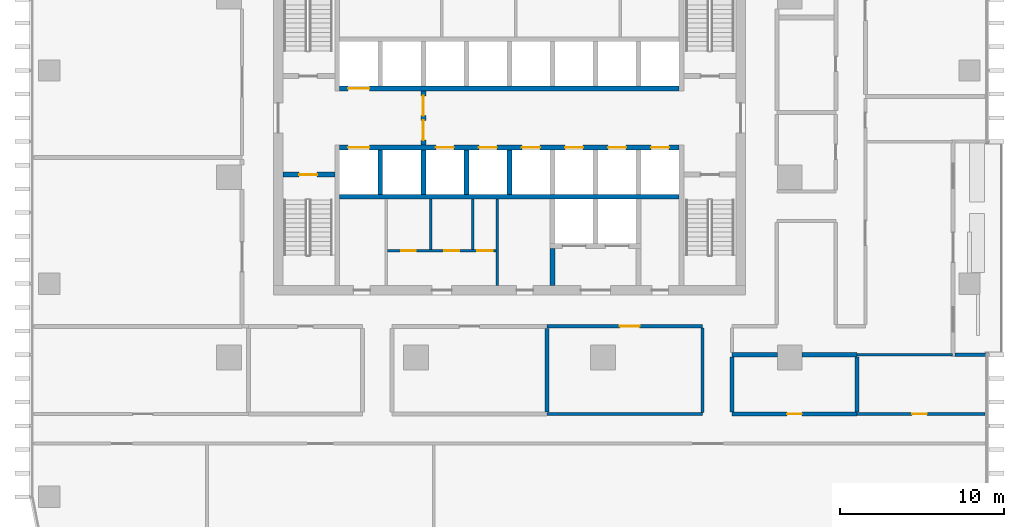
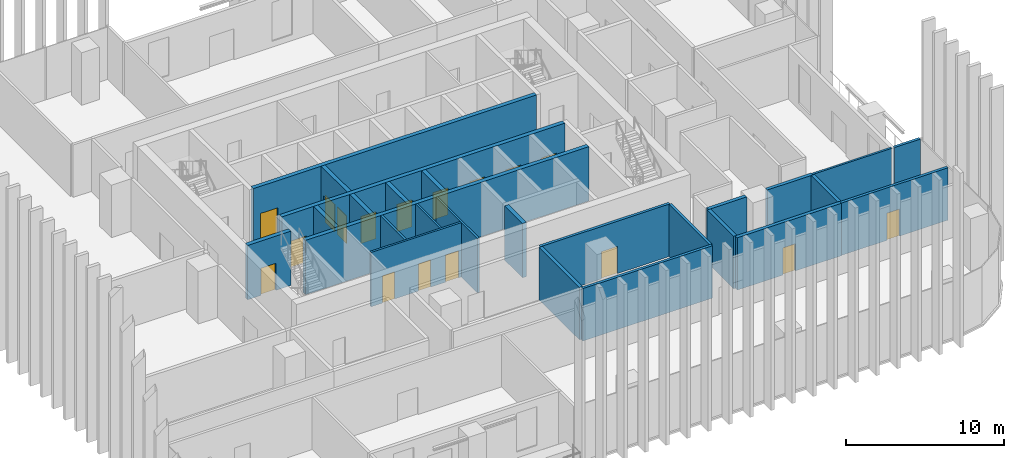
# One storey, part 8 of 17: 26 walls, 17 doors, 17 openings.
"""IFC4 building model written with IfcOpenShell, lengths in metres."""

from ifc_helpers import new_model, si_unit, direction, frame, frame_2d, origin, place, context, subcontext, project, spatial, rectangle, extrude, material, layer, layer_set, type_object, element, fill, save


model = new_model("IFC4")

# Units and contexts
model_context = context("Model", 3, precision=1e-05, world=origin(), true_north=direction((0.0, 1.0)))
body_context = subcontext(model_context, "Body", "Model", "MODEL_VIEW")
ifc_project = project(units=[si_unit("LENGTHUNIT", "METRE"), si_unit("AREAUNIT", "SQUARE_METRE"), si_unit("VOLUMEUNIT", "CUBIC_METRE"), si_unit("PLANEANGLEUNIT", "RADIAN"), si_unit("MASSUNIT", "GRAM", prefix="KILO")], contexts=[model_context])

# Site, building, storey
site_placement = place(None, origin())
site = spatial("IfcSite", under=ifc_project, at=site_placement, CompositionType="ELEMENT")
building_placement = place(site_placement, origin())
building = spatial("IfcBuilding", under=site, at=building_placement, Name="Mopane Tessera Tower", CompositionType="ELEMENT")
storey_placement = place(building_placement, frame((0.0, 0.0, 121.60009765625)))
storey = spatial("IfcBuildingStorey", under=building, at=storey_placement, Name="L24", CompositionType="ELEMENT", Elevation=121.60009765625)

# Wall, openings, doors
ifc_material_1 = material(Name="Fire-rated gypsum board partition")
ifc_layer_1 = layer(ifc_material_1, 0.14990234375)
ifc_layer_set_1 = layer_set([ifc_layer_1], Name="Fire-rated gypsum board partition")
wall_type_1 = type_object("IfcWallType", Name="Core room partition 150 mm", PredefinedType="PARTITIONING", material=ifc_layer_set_1)
wall_1_placement = place(storey_placement, frame((-7.425048828125, -4.5, 0.0), z_axis=(0.0, 0.0, 1.0), x_axis=(1.0, 0.0, 0.0)))
wall_1 = element("IfcWall", 1, at=wall_1_placement, inside=storey, type_object=wall_type_1, Name="L24 WC partition", PredefinedType="PARTITIONING", context=body_context, shape_type="SweptSolid", body=[
    extrude(rectangle(XDim=6.60009765625, YDim=0.14990234375, at=frame_2d((3.300048828125, 0.0))), origin(), (0.0, 0.0, 1.0), 4.199951171875),
])
opening_1_placement = place(wall_1_placement, frame((0.824951171875, 0.0, 0.0)))
opening_1 = element("IfcOpeningElement", 2, at=opening_1_placement, cuts=wall_1, Name="Opening WD1", PredefinedType="OPENING", context=body_context, shape_type="SweptSolid", body=[
    extrude(rectangle(XDim=0.89990234375, YDim=2.10009765625, at=frame_2d((0.449951171875, 1.050048828125))), frame((0.0, 0.0869140625, 0.0), z_axis=(0.0, -1.0, 0.0), x_axis=(1.0, 0.0, 0.0)), (0.0, 0.0, 1.0), 0.173828125),
])
opening_2_placement = place(wall_1_placement, frame((3.45751953125, 0.0, 0.0)))
opening_2 = element("IfcOpeningElement", 3, at=opening_2_placement, cuts=wall_1, Name="Opening WD1", PredefinedType="OPENING", context=body_context, shape_type="SweptSolid", body=[
    extrude(rectangle(XDim=0.89990234375, YDim=2.10009765625, at=frame_2d((0.449951171875, 1.050048828125))), frame((0.0, 0.0869140625, 0.0), z_axis=(0.0, -1.0, 0.0), x_axis=(1.0, 0.0, 0.0)), (0.0, 0.0, 1.0), 0.173828125),
])
opening_3_placement = place(wall_1_placement, frame((5.45751953125, 0.0, 0.0)))
opening_3 = element("IfcOpeningElement", 4, at=opening_3_placement, cuts=wall_1, Name="Opening WD2", PredefinedType="OPENING", context=body_context, shape_type="SweptSolid", body=[
    extrude(rectangle(XDim=0.949951171875, YDim=2.10009765625, at=frame_2d((0.47509765625, 1.050048828125))), frame((0.0, 0.0869140625, 0.0), z_axis=(0.0, -1.0, 0.0), x_axis=(1.0, 0.0, 0.0)), (0.0, 0.0, 1.0), 0.173828125),
])
ifc_material_2 = material(Name="Timber door", Category="wood")
door_type_1 = type_object("IfcDoorType", Name="Accessible WC door 950 x 2100", OperationType="SINGLE_SWING_LEFT", PredefinedType="DOOR", material=ifc_material_2)
door_1_placement = place(opening_3_placement, origin())
door_1 = element("IfcDoor", 5, at=door_1_placement, inside=storey, type_object=door_type_1, Name="L24 Accessible WC door", OperationType="SINGLE_SWING_LEFT", OverallHeight=2.10009765625, OverallWidth=0.949951171875, PredefinedType="DOOR", context=body_context, shape_type="SweptSolid", body=[
    extrude(rectangle(XDim=0.949951171875, YDim=2.10009765625, at=frame_2d((0.47509765625, 1.050048828125))), frame((0.0, 0.02490234375, 0.0), z_axis=(0.0, -1.0, 0.0), x_axis=(1.0, 0.0, 0.0)), (0.0, 0.0, 1.0), 0.050048828125),
])
fill(opening_3, door_1)
ifc_material_3 = material(Name="Timber door", Category="wood")
door_type_2 = type_object("IfcDoorType", Name="WC cubicle door 900 x 2100", OperationType="SINGLE_SWING_LEFT", PredefinedType="DOOR", material=ifc_material_3)
door_2_placement = place(opening_1_placement, origin())
door_2 = element("IfcDoor", 6, at=door_2_placement, inside=storey, type_object=door_type_2, Name="L24 Men's WC door", OperationType="SINGLE_SWING_LEFT", OverallHeight=2.10009765625, OverallWidth=0.89990234375, PredefinedType="DOOR", context=body_context, shape_type="SweptSolid", body=[
    extrude(rectangle(XDim=0.89990234375, YDim=2.10009765625, at=frame_2d((0.449951171875, 1.050048828125))), frame((0.0, 0.02490234375, 0.0), z_axis=(0.0, -1.0, 0.0), x_axis=(1.0, 0.0, 0.0)), (0.0, 0.0, 1.0), 0.050048828125),
])
fill(opening_1, door_2)
door_3_placement = place(opening_2_placement, origin())
door_3 = element("IfcDoor", 7, at=door_3_placement, inside=storey, type_object=door_type_2, Name="L24 Women's WC door", OperationType="SINGLE_SWING_LEFT", OverallHeight=2.10009765625, OverallWidth=0.89990234375, PredefinedType="DOOR", context=body_context, shape_type="SweptSolid", body=[
    extrude(rectangle(XDim=0.89990234375, YDim=2.10009765625, at=frame_2d((0.449951171875, 1.050048828125))), frame((0.0, 0.02490234375, 0.0), z_axis=(0.0, -1.0, 0.0), x_axis=(1.0, 0.0, 0.0)), (0.0, 0.0, 1.0), 0.050048828125),
])
fill(opening_2, door_3)

# Walls
for number, where, z_axis, x_axis, name in (
    (8, (-4.800048828125, -4.425048828125, 0.0), (0.0, 0.0, 1.0), (0.0, 1.0, 0.0), "L24 WC partition"),
    (9, (-2.235107421875, -4.425048828125, 0.0), (0.0, 0.0, 1.0), (0.0, 1.0, 0.0), "L24 WC partition"),
):
    element("IfcWall", number, at=place(storey_placement, frame(where, z_axis=z_axis, x_axis=x_axis)), inside=storey, type_object=wall_type_1, Name=name, PredefinedType="PARTITIONING", context=body_context, shape_type="SweptSolid", body=[
        extrude(rectangle(XDim=3.074951171875, YDim=0.14990234375, at=frame_2d((1.53759765625, 0.0))), origin(), (0.0, 0.0, 1.0), 4.199951171875),
    ])
wall_2_placement = place(storey_placement, frame((-0.75, -6.60009765625, 0.0), z_axis=(0.0, 0.0, 1.0), x_axis=(0.0, 1.0, 0.0)))
element("IfcWall", 10, at=wall_2_placement, inside=storey, type_object=wall_type_1, Name="L24 Room partition", PredefinedType="PARTITIONING", context=body_context, shape_type="SweptSolid", body=[
    extrude(rectangle(XDim=5.25, YDim=0.14990234375, at=frame_2d((2.625, 0.0))), origin(), (0.0, 0.0, 1.0), 4.199951171875),
])
ifc_material_4 = material(Name="Gypsum board on steel studs, two layers each face, mineral wool infill", Category="steel")
ifc_layer_2 = layer(ifc_material_4, 0.199951171875)
ifc_layer_set_2 = layer_set([ifc_layer_2], Name="Gypsum board on steel studs, two layers each face, mineral wool infill")
wall_type_2 = type_object("IfcWallType", Name="Gypsum board corridor wall 200, rated EI 60", PredefinedType="PARTITIONING", material=ifc_layer_set_2)
wall_3_placement = place(storey_placement, frame((2.300048828125, -14.449951171875, 0.0), z_axis=(0.0, 0.0, 1.0), x_axis=(1.0, 0.0, 0.0)))
element("IfcWall", 11, at=wall_3_placement, inside=storey, type_object=wall_type_2, Name="Partition L24:002", PredefinedType="PARTITIONING", context=body_context, shape_type="SweptSolid", body=[
    extrude(rectangle(XDim=9.469970703125, YDim=0.199951171875, at=frame_2d((4.73486328125, 0.0))), origin(), (0.0, 0.0, 1.0), 4.0498046875),
])

# Wall, opening, door
wall_4_placement = place(storey_placement, frame((21.18505859375, -14.449951171875, 0.0), z_axis=(0.0, 0.0, 1.0), x_axis=(1.0, 0.0, 0.0)))
wall_4 = element("IfcWall", 12, at=wall_4_placement, inside=storey, type_object=wall_type_2, Name="Partition L24:003", PredefinedType="PARTITIONING", context=body_context, shape_type="SweptSolid", body=[
    extrude(rectangle(XDim=7.81494140625, YDim=0.199951171875, at=frame_2d((3.907470703125, 0.0))), origin(), (0.0, 0.0, 1.0), 4.0498046875),
])
opening_4_placement = place(wall_4_placement, frame((3.357421875, 0.0, 0.0)))
opening_4 = element("IfcOpeningElement", 13, at=opening_4_placement, cuts=wall_4, Name="Opening L24-09", PredefinedType="OPENING", context=body_context, shape_type="SweptSolid", body=[
    extrude(rectangle(XDim=0.89990234375, YDim=2.10009765625, at=frame_2d((0.449951171875, 1.050048828125))), frame((0.0, 0.112060546875, 0.0), z_axis=(0.0, -1.0, 0.0), x_axis=(1.0, 0.0, 0.0)), (0.0, 0.0, 1.0), 0.223876953125),
])
ifc_material_5 = material(Name="Timber veneered steel-framed fire door", Category="steel")
door_type_3 = type_object("IfcDoorType", Name="Fire door FD60 900 x 2100", OperationType="SINGLE_SWING_LEFT", PredefinedType="DOOR", material=ifc_material_5)
door_4_placement = place(opening_4_placement, origin())
door_4 = element("IfcDoor", 14, at=door_4_placement, inside=storey, type_object=door_type_3, Name="Door L24-09", ObjectType="D10A", OperationType="SINGLE_SWING_RIGHT", OverallHeight=2.10009765625, OverallWidth=0.89990234375, PredefinedType="DOOR", context=body_context, shape_type="SweptSolid", body=[
    extrude(rectangle(XDim=0.89990234375, YDim=2.10009765625, at=frame_2d((0.449951171875, 1.050048828125))), frame((0.0, 0.02490234375, 0.0), z_axis=(0.0, -1.0, 0.0), x_axis=(1.0, 0.0, 0.0)), (0.0, 0.0, 1.0), 0.050048828125),
])
fill(opening_4, door_4)

wall_5_placement = place(storey_placement, frame((2.300048828125, -9.10009765625, 0.0), z_axis=(0.0, 0.0, 1.0), x_axis=(1.0, 0.0, 0.0)))
wall_5 = element("IfcWall", 15, at=wall_5_placement, inside=storey, type_object=wall_type_2, Name="Partition L24:011", PredefinedType="PARTITIONING", context=body_context, shape_type="SweptSolid", body=[
    extrude(rectangle(XDim=9.469970703125, YDim=0.199951171875, at=frame_2d((4.73486328125, 0.0))), origin(), (0.0, 0.0, 1.0), 4.0498046875),
])
opening_5_placement = place(wall_5_placement, frame((4.43505859375, 0.0, 0.0)))
opening_5 = element("IfcOpeningElement", 16, at=opening_5_placement, cuts=wall_5, Name="Opening L24-20", PredefinedType="OPENING", context=body_context, shape_type="SweptSolid", body=[
    extrude(rectangle(XDim=1.199951171875, YDim=2.10009765625, at=frame_2d((0.60009765625, 1.050048828125))), frame((0.0, 0.112060546875, 0.0), z_axis=(0.0, -1.0, 0.0), x_axis=(1.0, 0.0, 0.0)), (0.0, 0.0, 1.0), 0.223876953125),
])
ifc_material_6 = material(Name="Timber veneered steel-framed fire door", Category="steel")
door_type_4 = type_object("IfcDoorType", Name="Fire door FD60 1200 x 2100", OperationType="SINGLE_SWING_LEFT", PredefinedType="DOOR", material=ifc_material_6)
door_5_placement = place(opening_5_placement, origin())
door_5 = element("IfcDoor", 17, at=door_5_placement, inside=storey, type_object=door_type_4, Name="Door L24-20", ObjectType="D15A", OperationType="SINGLE_SWING_RIGHT", OverallHeight=2.10009765625, OverallWidth=1.199951171875, PredefinedType="DOOR", context=body_context, shape_type="SweptSolid", body=[
    extrude(rectangle(XDim=1.199951171875, YDim=2.10009765625, at=frame_2d((0.60009765625, 1.050048828125))), frame((0.0, 0.02490234375, 0.0), z_axis=(0.0, -1.0, 0.0), x_axis=(1.0, 0.0, 0.0)), (0.0, 0.0, 1.0), 0.050048828125),
])
fill(opening_5, door_5)

# Walls
wall_6_placement = place(storey_placement, frame((11.77001953125, -14.35009765625, 0.0), z_axis=(0.0, 0.0, 1.0), x_axis=(0.0, 1.0, 0.0)))
element("IfcWall", 18, at=wall_6_placement, inside=storey, type_object=wall_type_2, Name="Partition L24:046", PredefinedType="PARTITIONING", context=body_context, shape_type="SweptSolid", body=[
    extrude(rectangle(XDim=5.150146484375, YDim=0.199951171875, at=frame_2d((2.5751953125, 0.0))), origin(), (0.0, 0.0, 1.0), 4.0498046875),
])
ifc_material_7 = material(Name="Gypsum board on steel studs, mineral wool infill", Category="steel")
ifc_layer_3 = layer(ifc_material_7, 0.14990234375)
ifc_layer_set_3 = layer_set([ifc_layer_3], Name="Gypsum board on steel studs, mineral wool infill")
wall_type_3 = type_object("IfcWallType", Name="Gypsum board partition 150, rated EI 60", PredefinedType="PARTITIONING", material=ifc_layer_set_3)
wall_7_placement = place(storey_placement, frame((21.18505859375, -10.8349609375, 0.0), z_axis=(0.0, 0.0, 1.0), x_axis=(1.0, 0.0, 0.0)))
element("IfcWall", 19, at=wall_7_placement, inside=storey, type_object=wall_type_3, Name="Partition L24:007", PredefinedType="PARTITIONING", context=body_context, shape_type="SweptSolid", body=[
    extrude(rectangle(XDim=5.81494140625, YDim=0.14990234375, at=frame_2d((2.907470703125, 0.0))), origin(), (0.0, 0.0, 1.0), 4.0498046875),
])

# Wall, opening, door
ifc_material_8 = material(Name="Concrete C50/60", Category="concrete")
ifc_layer_4 = layer(ifc_material_8, 0.300048828125)
ifc_layer_set_4 = layer_set([ifc_layer_4], Name="Concrete C50/60")
wall_type_4 = type_object("IfcWallType", Name="Lift and stair shaft wall 300 mm", PredefinedType="SOLIDWALL", material=ifc_layer_set_4)
wall_8_placement = place(storey_placement, frame((-13.800048828125, 0.14990234375, 0.0), z_axis=(0.0, 0.0, 1.0), x_axis=(1.0, 0.0, 0.0)))
wall_8 = element("IfcWall", 20, at=wall_8_placement, inside=storey, type_object=wall_type_4, Name="L24 Stair enclosure wall", PredefinedType="SOLIDWALL", context=body_context, shape_type="SweptSolid", body=[
    extrude(rectangle(XDim=3.150146484375, YDim=0.300048828125, at=frame_2d((1.5751953125, 0.0))), origin(), (0.0, 0.0, 1.0), 4.199951171875),
])
opening_6_placement = place(wall_8_placement, frame((0.97509765625, 0.0, 0.0)))
opening_6 = element("IfcOpeningElement", 21, at=opening_6_placement, cuts=wall_8, Name="Opening SD1", PredefinedType="OPENING", context=body_context, shape_type="SweptSolid", body=[
    extrude(rectangle(XDim=1.10009765625, YDim=2.10009765625, at=frame_2d((0.550048828125, 1.050048828125))), frame((0.0, 0.162109375, 0.0), z_axis=(0.0, -1.0, 0.0), x_axis=(1.0, 0.0, 0.0)), (0.0, 0.0, 1.0), 0.323974609375),
])
ifc_material_9 = material(Name="Steel fire door", Category="steel")
door_type_5 = type_object("IfcDoorType", Name="Stair fire door 1100 x 2100", OperationType="SINGLE_SWING_LEFT", PredefinedType="DOOR", material=ifc_material_9)
door_6_placement = place(opening_6_placement, origin())
door_6 = element("IfcDoor", 22, at=door_6_placement, inside=storey, type_object=door_type_5, Name="L24 Stair door ST1", OperationType="SINGLE_SWING_LEFT", OverallHeight=2.10009765625, OverallWidth=1.10009765625, PredefinedType="DOOR", context=body_context, shape_type="SweptSolid", body=[
    extrude(rectangle(XDim=1.10009765625, YDim=2.10009765625, at=frame_2d((0.550048828125, 1.050048828125))), frame((0.0, 0.02490234375, 0.0), z_axis=(0.0, -1.0, 0.0), x_axis=(1.0, 0.0, 0.0)), (0.0, 0.0, 1.0), 0.050048828125),
])
fill(opening_6, door_6)

# Wall
wall_9_placement = place(storey_placement, frame((-10.35009765625, -1.199951171875, 0.0), z_axis=(0.0, 0.0, 1.0), x_axis=(1.0, 0.0, 0.0)))
element("IfcWall", 23, at=wall_9_placement, inside=storey, type_object=wall_type_4, Name="L24 Lift shaft rear wall", PredefinedType="SOLIDWALL", context=body_context, shape_type="SweptSolid", body=[
    extrude(rectangle(XDim=20.7001953125, YDim=0.300048828125, at=frame_2d((10.35009765625, 0.0))), origin(), (0.0, 0.0, 1.0), 4.199951171875),
])

# Wall, openings, doors
wall_10_placement = place(storey_placement, frame((-10.35009765625, 1.800048828125, 0.0), z_axis=(0.0, 0.0, 1.0), x_axis=(1.0, 0.0, 0.0)))
wall_10 = element("IfcWall", 24, at=wall_10_placement, inside=storey, type_object=wall_type_4, Name="L24 Lift shaft front wall", PredefinedType="SOLIDWALL", context=body_context, shape_type="SweptSolid", body=[
    extrude(rectangle(XDim=20.7001953125, YDim=0.300048828125, at=frame_2d((10.35009765625, 0.0))), origin(), (0.0, 0.0, 1.0), 4.199951171875),
])
opening_7_placement = place(wall_10_placement, frame((0.512451171875, 0.0, 0.0)))
opening_7 = element("IfcOpeningElement", 25, at=opening_7_placement, cuts=wall_10, Name="Opening LD2", PredefinedType="OPENING", context=body_context, shape_type="SweptSolid", body=[
    extrude(rectangle(XDim=1.300048828125, YDim=2.10009765625, at=frame_2d((0.64990234375, 1.050048828125))), frame((0.0, 0.162109375, 0.0), z_axis=(0.0, -1.0, 0.0), x_axis=(1.0, 0.0, 0.0)), (0.0, 0.0, 1.0), 0.323974609375),
])
opening_8_placement = place(wall_10_placement, frame((5.862548828125, 0.0, 0.0)))
opening_8 = element("IfcOpeningElement", 26, at=opening_8_placement, cuts=wall_10, Name="Opening LD", PredefinedType="OPENING", context=body_context, shape_type="SweptSolid", body=[
    extrude(rectangle(XDim=1.10009765625, YDim=2.10009765625, at=frame_2d((0.550048828125, 1.050048828125))), frame((0.0, 0.162109375, 0.0), z_axis=(0.0, -1.0, 0.0), x_axis=(1.0, 0.0, 0.0)), (0.0, 0.0, 1.0), 0.323974609375),
])
opening_9_placement = place(wall_10_placement, frame((8.487548828125, 0.0, 0.0)))
opening_9 = element("IfcOpeningElement", 27, at=opening_9_placement, cuts=wall_10, Name="Opening LD", PredefinedType="OPENING", context=body_context, shape_type="SweptSolid", body=[
    extrude(rectangle(XDim=1.10009765625, YDim=2.10009765625, at=frame_2d((0.550048828125, 1.050048828125))), frame((0.0, 0.162109375, 0.0), z_axis=(0.0, -1.0, 0.0), x_axis=(1.0, 0.0, 0.0)), (0.0, 0.0, 1.0), 0.323974609375),
])
opening_10_placement = place(wall_10_placement, frame((11.112548828125, 0.0, 0.0)))
opening_10 = element("IfcOpeningElement", 28, at=opening_10_placement, cuts=wall_10, Name="Opening LD", PredefinedType="OPENING", context=body_context, shape_type="SweptSolid", body=[
    extrude(rectangle(XDim=1.10009765625, YDim=2.10009765625, at=frame_2d((0.550048828125, 1.050048828125))), frame((0.0, 0.162109375, 0.0), z_axis=(0.0, -1.0, 0.0), x_axis=(1.0, 0.0, 0.0)), (0.0, 0.0, 1.0), 0.323974609375),
])
opening_11_placement = place(wall_10_placement, frame((13.737548828125, 0.0, 0.0)))
opening_11 = element("IfcOpeningElement", 29, at=opening_11_placement, cuts=wall_10, Name="Opening LD", PredefinedType="OPENING", context=body_context, shape_type="SweptSolid", body=[
    extrude(rectangle(XDim=1.10009765625, YDim=2.10009765625, at=frame_2d((0.550048828125, 1.050048828125))), frame((0.0, 0.162109375, 0.0), z_axis=(0.0, -1.0, 0.0), x_axis=(1.0, 0.0, 0.0)), (0.0, 0.0, 1.0), 0.323974609375),
])
opening_12_placement = place(wall_10_placement, frame((16.362548828125, 0.0, 0.0)))
opening_12 = element("IfcOpeningElement", 30, at=opening_12_placement, cuts=wall_10, Name="Opening LD", PredefinedType="OPENING", context=body_context, shape_type="SweptSolid", body=[
    extrude(rectangle(XDim=1.10009765625, YDim=2.10009765625, at=frame_2d((0.550048828125, 1.050048828125))), frame((0.0, 0.162109375, 0.0), z_axis=(0.0, -1.0, 0.0), x_axis=(1.0, 0.0, 0.0)), (0.0, 0.0, 1.0), 0.323974609375),
])
opening_13_placement = place(wall_10_placement, frame((18.987548828125, 0.0, 0.0)))
opening_13 = element("IfcOpeningElement", 31, at=opening_13_placement, cuts=wall_10, Name="Opening LD", PredefinedType="OPENING", context=body_context, shape_type="SweptSolid", body=[
    extrude(rectangle(XDim=1.10009765625, YDim=2.10009765625, at=frame_2d((0.550048828125, 1.050048828125))), frame((0.0, 0.162109375, 0.0), z_axis=(0.0, -1.0, 0.0), x_axis=(1.0, 0.0, 0.0)), (0.0, 0.0, 1.0), 0.323974609375),
])
ifc_material_10 = material(Name="Stainless steel sliding door", Category="steel")
door_type_6 = type_object("IfcDoorType", Name="Fire-fighting lift landing door 1300 x 2100", OperationType="DOUBLE_DOOR_SLIDING", PredefinedType="DOOR", material=ifc_material_10)
door_7_placement = place(opening_7_placement, origin())
door_7 = element("IfcDoor", 32, at=door_7_placement, inside=storey, type_object=door_type_6, Name="L24 Lift landing door FF1", OperationType="DOUBLE_DOOR_SLIDING", OverallHeight=2.10009765625, OverallWidth=1.300048828125, PredefinedType="DOOR", context=body_context, shape_type="SweptSolid", body=[
    extrude(rectangle(XDim=1.300048828125, YDim=2.10009765625, at=frame_2d((0.64990234375, 1.050048828125))), frame((0.0, 0.02490234375, 0.0), z_axis=(0.0, -1.0, 0.0), x_axis=(1.0, 0.0, 0.0)), (0.0, 0.0, 1.0), 0.050048828125),
])
fill(opening_7, door_7)
ifc_material_11 = material(Name="Stainless steel sliding door", Category="steel")
door_type_7 = type_object("IfcDoorType", Name="Lift landing door 1100 x 2100", OperationType="DOUBLE_DOOR_SLIDING", PredefinedType="DOOR", material=ifc_material_11)
door_8_placement = place(opening_8_placement, origin())
door_8 = element("IfcDoor", 33, at=door_8_placement, inside=storey, type_object=door_type_7, Name="L24 Lift landing door LR1", OperationType="DOUBLE_DOOR_SLIDING", OverallHeight=2.10009765625, OverallWidth=1.10009765625, PredefinedType="DOOR", context=body_context, shape_type="SweptSolid", body=[
    extrude(rectangle(XDim=1.10009765625, YDim=2.10009765625, at=frame_2d((0.550048828125, 1.050048828125))), frame((0.0, 0.02490234375, 0.0), z_axis=(0.0, -1.0, 0.0), x_axis=(1.0, 0.0, 0.0)), (0.0, 0.0, 1.0), 0.050048828125),
])
fill(opening_8, door_8)
door_9_placement = place(opening_9_placement, origin())
door_9 = element("IfcDoor", 34, at=door_9_placement, inside=storey, type_object=door_type_7, Name="L24 Lift landing door LR2", OperationType="DOUBLE_DOOR_SLIDING", OverallHeight=2.10009765625, OverallWidth=1.10009765625, PredefinedType="DOOR", context=body_context, shape_type="SweptSolid", body=[
    extrude(rectangle(XDim=1.10009765625, YDim=2.10009765625, at=frame_2d((0.550048828125, 1.050048828125))), frame((0.0, 0.02490234375, 0.0), z_axis=(0.0, -1.0, 0.0), x_axis=(1.0, 0.0, 0.0)), (0.0, 0.0, 1.0), 0.050048828125),
])
fill(opening_9, door_9)
door_10_placement = place(opening_10_placement, origin())
door_10 = element("IfcDoor", 35, at=door_10_placement, inside=storey, type_object=door_type_7, Name="L24 Lift landing door LR3", OperationType="DOUBLE_DOOR_SLIDING", OverallHeight=2.10009765625, OverallWidth=1.10009765625, PredefinedType="DOOR", context=body_context, shape_type="SweptSolid", body=[
    extrude(rectangle(XDim=1.10009765625, YDim=2.10009765625, at=frame_2d((0.550048828125, 1.050048828125))), frame((0.0, 0.02490234375, 0.0), z_axis=(0.0, -1.0, 0.0), x_axis=(1.0, 0.0, 0.0)), (0.0, 0.0, 1.0), 0.050048828125),
])
fill(opening_10, door_10)
door_11_placement = place(opening_11_placement, origin())
door_11 = element("IfcDoor", 36, at=door_11_placement, inside=storey, type_object=door_type_7, Name="L24 Lift landing door LR4", OperationType="DOUBLE_DOOR_SLIDING", OverallHeight=2.10009765625, OverallWidth=1.10009765625, PredefinedType="DOOR", context=body_context, shape_type="SweptSolid", body=[
    extrude(rectangle(XDim=1.10009765625, YDim=2.10009765625, at=frame_2d((0.550048828125, 1.050048828125))), frame((0.0, 0.02490234375, 0.0), z_axis=(0.0, -1.0, 0.0), x_axis=(1.0, 0.0, 0.0)), (0.0, 0.0, 1.0), 0.050048828125),
])
fill(opening_11, door_11)
door_12_placement = place(opening_12_placement, origin())
door_12 = element("IfcDoor", 37, at=door_12_placement, inside=storey, type_object=door_type_7, Name="L24 Lift landing door LR5", OperationType="DOUBLE_DOOR_SLIDING", OverallHeight=2.10009765625, OverallWidth=1.10009765625, PredefinedType="DOOR", context=body_context, shape_type="SweptSolid", body=[
    extrude(rectangle(XDim=1.10009765625, YDim=2.10009765625, at=frame_2d((0.550048828125, 1.050048828125))), frame((0.0, 0.02490234375, 0.0), z_axis=(0.0, -1.0, 0.0), x_axis=(1.0, 0.0, 0.0)), (0.0, 0.0, 1.0), 0.050048828125),
])
fill(opening_12, door_12)
door_13_placement = place(opening_13_placement, origin())
door_13 = element("IfcDoor", 38, at=door_13_placement, inside=storey, type_object=door_type_7, Name="L24 Lift landing door LR6", OperationType="DOUBLE_DOOR_SLIDING", OverallHeight=2.10009765625, OverallWidth=1.10009765625, PredefinedType="DOOR", context=body_context, shape_type="SweptSolid", body=[
    extrude(rectangle(XDim=1.10009765625, YDim=2.10009765625, at=frame_2d((0.550048828125, 1.050048828125))), frame((0.0, 0.02490234375, 0.0), z_axis=(0.0, -1.0, 0.0), x_axis=(1.0, 0.0, 0.0)), (0.0, 0.0, 1.0), 0.050048828125),
])
fill(opening_13, door_13)

# Wall, opening, door
wall_11_placement = place(storey_placement, frame((-10.35009765625, 5.39990234375, 0.0), z_axis=(0.0, 0.0, 1.0), x_axis=(1.0, 0.0, 0.0)))
wall_11 = element("IfcWall", 39, at=wall_11_placement, inside=storey, type_object=wall_type_4, Name="L24 Lift shaft front wall", PredefinedType="SOLIDWALL", context=body_context, shape_type="SweptSolid", body=[
    extrude(rectangle(XDim=20.7001953125, YDim=0.300048828125, at=frame_2d((10.35009765625, 0.0))), origin(), (0.0, 0.0, 1.0), 4.199951171875),
])
opening_14_placement = place(wall_11_placement, frame((0.512451171875, 0.0, 0.0)))
opening_14 = element("IfcOpeningElement", 40, at=opening_14_placement, cuts=wall_11, Name="Opening LD2", PredefinedType="OPENING", context=body_context, shape_type="SweptSolid", body=[
    extrude(rectangle(XDim=1.300048828125, YDim=2.10009765625, at=frame_2d((0.64990234375, 1.050048828125))), frame((0.0, 0.162109375, 0.0), z_axis=(0.0, -1.0, 0.0), x_axis=(1.0, 0.0, 0.0)), (0.0, 0.0, 1.0), 0.323974609375),
])
door_14_placement = place(opening_14_placement, origin())
door_14 = element("IfcDoor", 41, at=door_14_placement, inside=storey, type_object=door_type_6, Name="L24 Lift landing door FF2", OperationType="DOUBLE_DOOR_SLIDING", OverallHeight=2.10009765625, OverallWidth=1.300048828125, PredefinedType="DOOR", context=body_context, shape_type="SweptSolid", body=[
    extrude(rectangle(XDim=1.300048828125, YDim=2.10009765625, at=frame_2d((0.64990234375, 1.050048828125))), frame((0.0, 0.02490234375, 0.0), z_axis=(0.0, -1.0, 0.0), x_axis=(1.0, 0.0, 0.0)), (0.0, 0.0, 1.0), 0.050048828125),
])
fill(opening_14, door_14)

# Walls
for number, where, z_axis, x_axis, name in (
    (42, (-7.875, -1.050048828125, 0.0), (0.0, 0.0, 1.0), (0.0, 1.0, 0.0), "L24 Lift shaft wall"),
    (43, (-5.25, -1.050048828125, 0.0), (0.0, 0.0, 1.0), (0.0, 1.0, 0.0), "L24 Lift shaft wall"),
    (44, (-2.625, -1.050048828125, 0.0), (0.0, 0.0, 1.0), (0.0, 1.0, 0.0), "L24 Lift shaft wall"),
    (45, (0.0, -1.050048828125, 0.0), (0.0, 0.0, 1.0), (0.0, 1.0, 0.0), "L24 Lift shaft wall"),
):
    element("IfcWall", number, at=place(storey_placement, frame(where, z_axis=z_axis, x_axis=x_axis)), inside=storey, type_object=wall_type_4, Name=name, PredefinedType="SOLIDWALL", context=body_context, shape_type="SweptSolid", body=[
        extrude(rectangle(XDim=2.699951171875, YDim=0.300048828125, at=frame_2d((1.35009765625, 0.0))), origin(), (0.0, 0.0, 1.0), 4.199951171875),
    ])

# Wall, openings, doors
ifc_material_12 = material(Name="Concrete C50/60", Category="concrete")
ifc_layer_5 = layer(ifc_material_12, 0.300048828125)
ifc_layer_set_5 = layer_set([ifc_layer_5], Name="Concrete C50/60")
wall_type_5 = type_object("IfcWallType", Name="Lobby and refuge room wall 300 mm", PredefinedType="SOLIDWALL", material=ifc_layer_set_5)
wall_12_placement = place(storey_placement, frame((-5.25, 1.949951171875, 0.0), z_axis=(0.0, 0.0, 1.0), x_axis=(0.0, 1.0, 0.0)))
wall_12 = element("IfcWall", 46, at=wall_12_placement, inside=storey, type_object=wall_type_5, Name="L24 Fire-fighting lobby wall", PredefinedType="SOLIDWALL", context=body_context, shape_type="SweptSolid", body=[
    extrude(rectangle(XDim=3.300048828125, YDim=0.300048828125, at=frame_2d((1.64990234375, 0.0))), origin(), (0.0, 0.0, 1.0), 4.199951171875),
])
opening_15_placement = place(wall_12_placement, frame((0.300048828125, 0.0, 0.0)))
opening_15 = element("IfcOpeningElement", 47, at=opening_15_placement, cuts=wall_12, Name="Opening SD3", PredefinedType="OPENING", context=body_context, shape_type="SweptSolid", body=[
    extrude(rectangle(XDim=1.199951171875, YDim=2.10009765625, at=frame_2d((0.60009765625, 1.050048828125))), frame((0.0, 0.162109375, 0.0), z_axis=(0.0, -1.0, 0.0), x_axis=(1.0, 0.0, 0.0)), (0.0, 0.0, 1.0), 0.323974609375),
])
opening_16_placement = place(wall_12_placement, frame((1.800048828125, 0.0, 0.0)))
opening_16 = element("IfcOpeningElement", 48, at=opening_16_placement, cuts=wall_12, Name="Opening SD3", PredefinedType="OPENING", context=body_context, shape_type="SweptSolid", body=[
    extrude(rectangle(XDim=1.199951171875, YDim=2.10009765625, at=frame_2d((0.60009765625, 1.050048828125))), frame((0.0, 0.162109375, 0.0), z_axis=(0.0, -1.0, 0.0), x_axis=(1.0, 0.0, 0.0)), (0.0, 0.0, 1.0), 0.323974609375),
])
ifc_material_13 = material(Name="Steel fire door", Category="steel")
door_type_8 = type_object("IfcDoorType", Name="Lobby fire door 1200 x 2100", OperationType="SINGLE_SWING_LEFT", PredefinedType="DOOR", material=ifc_material_13)
door_15_placement = place(opening_15_placement, origin())
door_15 = element("IfcDoor", 49, at=door_15_placement, inside=storey, type_object=door_type_8, Name="L24 Fire-fighting lobby door", OperationType="SINGLE_SWING_LEFT", OverallHeight=2.10009765625, OverallWidth=1.199951171875, PredefinedType="DOOR", context=body_context, shape_type="SweptSolid", body=[
    extrude(rectangle(XDim=1.199951171875, YDim=2.10009765625, at=frame_2d((0.60009765625, 1.050048828125))), frame((0.0, 0.02490234375, 0.0), z_axis=(0.0, -1.0, 0.0), x_axis=(1.0, 0.0, 0.0)), (0.0, 0.0, 1.0), 0.050048828125),
])
fill(opening_15, door_15)
door_16_placement = place(opening_16_placement, origin())
door_16 = element("IfcDoor", 50, at=door_16_placement, inside=storey, type_object=door_type_8, Name="L24 Fire-fighting lobby door", OperationType="SINGLE_SWING_RIGHT", OverallHeight=2.10009765625, OverallWidth=1.199951171875, PredefinedType="DOOR", context=body_context, shape_type="SweptSolid", body=[
    extrude(rectangle(XDim=1.199951171875, YDim=2.10009765625, at=frame_2d((0.60009765625, 1.050048828125))), frame((0.0, 0.02490234375, 0.0), z_axis=(0.0, -1.0, 0.0), x_axis=(1.0, 0.0, 0.0)), (0.0, 0.0, 1.0), 0.050048828125),
])
fill(opening_16, door_16)

# Wall
wall_13_placement = place(storey_placement, frame((2.625, -6.60009765625, 0.0), z_axis=(0.0, 0.0, 1.0), x_axis=(0.0, 1.0, 0.0)))
element("IfcWall", 51, at=wall_13_placement, inside=storey, type_object=wall_type_5, Name="L24 Service lobby wall", PredefinedType="SOLIDWALL", context=body_context, shape_type="SweptSolid", body=[
    extrude(rectangle(XDim=2.25, YDim=0.300048828125, at=frame_2d((1.125, 0.0))), origin(), (0.0, 0.0, 1.0), 4.199951171875),
])

# Wall, opening, door
ifc_material_14 = material(Name="Plastered concrete blockwork C20/25", Category="masonry")
ifc_layer_6 = layer(ifc_material_14, 0.25)
ifc_layer_set_6 = layer_set([ifc_layer_6], Name="Plastered concrete blockwork C20/25")
wall_type_6 = type_object("IfcWallType", Name="Plastered blockwork wall 250, rated EI 120", PredefinedType="PARTITIONING", material=ifc_layer_set_6)
wall_14_placement = place(storey_placement, frame((13.570068359375, -14.449951171875, 0.0), z_axis=(0.0, 0.0, 1.0), x_axis=(1.0, 0.0, 0.0)))
wall_14 = element("IfcWall", 52, at=wall_14_placement, inside=storey, type_object=wall_type_6, Name="Partition L24:006", PredefinedType="PARTITIONING", context=body_context, shape_type="SweptSolid", body=[
    extrude(rectangle(XDim=7.614990234375, YDim=0.25, at=frame_2d((3.8076171875, 0.0))), origin(), (0.0, 0.0, 1.0), 4.0498046875),
])
opening_17_placement = place(wall_14_placement, frame((3.357421875, 0.0, 0.0)))
opening_17 = element("IfcOpeningElement", 53, at=opening_17_placement, cuts=wall_14, Name="Opening L24-17", PredefinedType="OPENING", context=body_context, shape_type="SweptSolid", body=[
    extrude(rectangle(XDim=0.89990234375, YDim=2.10009765625, at=frame_2d((0.449951171875, 1.050048828125))), frame((0.0, 0.136962890625, 0.0), z_axis=(0.0, -1.0, 0.0), x_axis=(1.0, 0.0, 0.0)), (0.0, 0.0, 1.0), 0.27392578125),
])
ifc_material_15 = material(Name="Timber veneered steel-framed fire door", Category="steel")
door_type_9 = type_object("IfcDoorType", Name="Fire door FD120 900 x 2100", OperationType="SINGLE_SWING_LEFT", PredefinedType="DOOR", material=ifc_material_15)
door_17_placement = place(opening_17_placement, origin())
door_17 = element("IfcDoor", 54, at=door_17_placement, inside=storey, type_object=door_type_9, Name="Door L24-17", ObjectType="D10B", OperationType="SINGLE_SWING_LEFT", OverallHeight=2.10009765625, OverallWidth=0.89990234375, PredefinedType="DOOR", context=body_context, shape_type="SweptSolid", body=[
    extrude(rectangle(XDim=0.89990234375, YDim=2.10009765625, at=frame_2d((0.449951171875, 1.050048828125))), frame((0.0, 0.02490234375, 0.0), z_axis=(0.0, -1.0, 0.0), x_axis=(1.0, 0.0, 0.0)), (0.0, 0.0, 1.0), 0.050048828125),
])
fill(opening_17, door_17)

# Walls
wall_15_placement = place(storey_placement, frame((13.570068359375, -10.8349609375, 0.0), z_axis=(0.0, 0.0, 1.0), x_axis=(1.0, 0.0, 0.0)))
element("IfcWall", 55, at=wall_15_placement, inside=storey, type_object=wall_type_6, Name="Partition L24:008", PredefinedType="PARTITIONING", context=body_context, shape_type="SweptSolid", body=[
    extrude(rectangle(XDim=2.780029296875, YDim=0.25, at=frame_2d((1.39013671875, 0.0))), origin(), (0.0, 0.0, 1.0), 4.0498046875),
])
wall_16_placement = place(storey_placement, frame((17.85009765625, -10.8349609375, 0.0), z_axis=(0.0, 0.0, 1.0), x_axis=(1.0, 0.0, 0.0)))
element("IfcWall", 56, at=wall_16_placement, inside=storey, type_object=wall_type_6, Name="Partition L24:009", PredefinedType="PARTITIONING", context=body_context, shape_type="SweptSolid", body=[
    extrude(rectangle(XDim=3.3349609375, YDim=0.25, at=frame_2d((1.66748046875, 0.0))), origin(), (0.0, 0.0, 1.0), 4.0498046875),
])
wall_17_placement = place(storey_placement, frame((2.300048828125, -14.324951171875, 0.0), z_axis=(0.0, 0.0, 1.0), x_axis=(0.0, 1.0, 0.0)))
element("IfcWall", 57, at=wall_17_placement, inside=storey, type_object=wall_type_6, Name="Partition L24:043", PredefinedType="PARTITIONING", context=body_context, shape_type="SweptSolid", body=[
    extrude(rectangle(XDim=5.099853515625, YDim=0.25, at=frame_2d((2.5498046875, 0.0))), origin(), (0.0, 0.0, 1.0), 4.0498046875),
])
for number, where, z_axis, x_axis, name in (
    (58, (13.570068359375, -14.324951171875, 0.0), (0.0, 0.0, 1.0), (0.0, 1.0, 0.0), "Partition L24:049"),
    (59, (21.18505859375, -14.324951171875, 0.0), (0.0, 0.0, 1.0), (0.0, 1.0, 0.0), "Partition L24:057"),
):
    element("IfcWall", number, at=place(storey_placement, frame(where, z_axis=z_axis, x_axis=x_axis)), inside=storey, type_object=wall_type_6, Name=name, PredefinedType="PARTITIONING", context=body_context, shape_type="SweptSolid", body=[
        extrude(rectangle(XDim=3.364990234375, YDim=0.25, at=frame_2d((1.6826171875, 0.0))), origin(), (0.0, 0.0, 1.0), 4.0498046875),
    ])
ifc_material_16 = material(Name="Blockwork with glazed tile facing", Category="masonry")
ifc_layer_7 = layer(ifc_material_16, 0.199951171875)
ifc_layer_set_7 = layer_set([ifc_layer_7], Name="Blockwork with glazed tile facing")
wall_type_7 = type_object("IfcWallType", Name="Terrace cheek wall 200", PredefinedType="STANDARD", material=ifc_layer_set_7)
wall_18_placement = place(storey_placement, frame((29.050048828125, -10.833251953125, 0.0), z_axis=(0.0, 0.0, 1.0), x_axis=(-1.0, 0.0, 0.0)))
element("IfcWall", 60, at=wall_18_placement, inside=storey, type_object=wall_type_7, Name="e:nw:L24:N3:cheeka", PredefinedType="STANDARD", context=body_context, shape_type="SweptSolid", body=[
    extrude(rectangle(XDim=1.875, YDim=0.199951171875, at=frame_2d((0.9375, 0.0))), origin(), (0.0, 0.0, 1.0), 4.0498046875),
])

save(model, "model.ifc")
